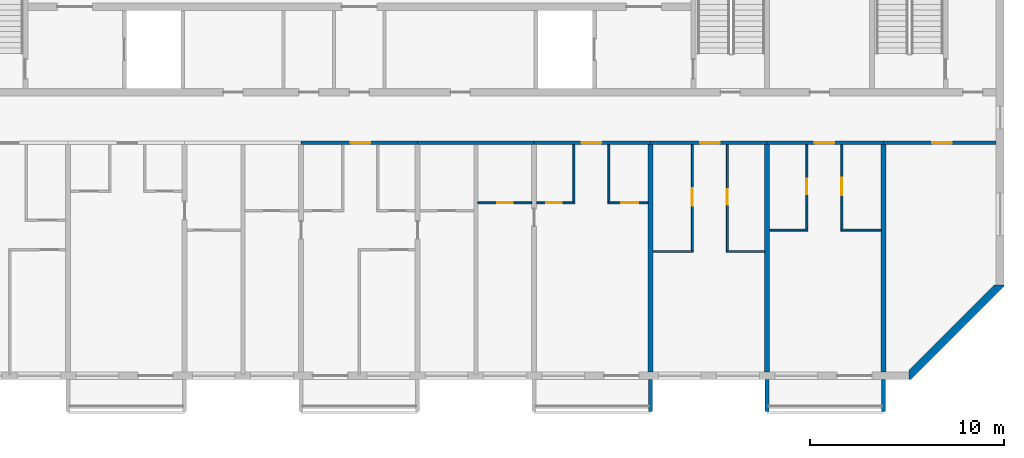
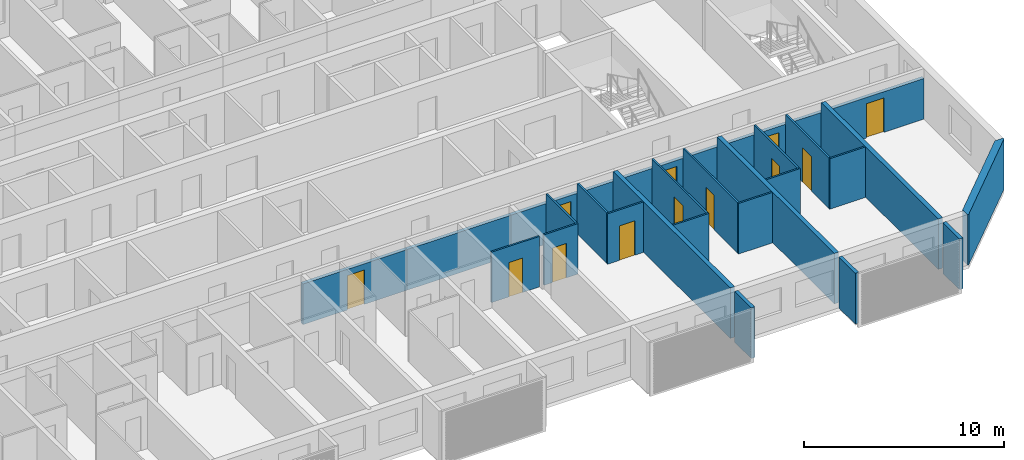
# One storey, part 5 of 26: 26 walls, 12 doors, 12 openings.
"""IFC4 building model written with IfcOpenShell, lengths in metres."""

from ifc_helpers import new_model, si_unit, direction, frame, frame_2d, origin, place, context, subcontext, project, spatial, polyline, rectangle, outline, extrude, source, transform, mapped, material, layer, layer_set, type_object, element, fill, save


model = new_model("IFC4")

# Units and contexts
model_context = context("Model", 3, precision=1e-05, world=origin(), true_north=direction((0.0, 1.0)))
body_context = subcontext(model_context, "Body", "Model", "MODEL_VIEW")
ifc_project = project(units=[si_unit("LENGTHUNIT", "METRE"), si_unit("AREAUNIT", "SQUARE_METRE"), si_unit("VOLUMEUNIT", "CUBIC_METRE"), si_unit("PLANEANGLEUNIT", "RADIAN"), si_unit("MASSUNIT", "GRAM", prefix="KILO")], contexts=[model_context])

# Site, building, storey
site_placement = place(None, origin())
site = spatial("IfcSite", under=ifc_project, at=site_placement, CompositionType="ELEMENT")
building_placement = place(site_placement, origin())
building = spatial("IfcBuilding", under=site, at=building_placement, Name="Poui Terraces", CompositionType="ELEMENT")
storey_placement = place(building_placement, frame((0.0, 0.0, 175.199951171875)))
storey = spatial("IfcBuildingStorey", under=building, at=storey_placement, Name="L48", CompositionType="ELEMENT", Elevation=175.199951171875)

# Wall, opening, door
ifc_material_1 = material(Name="Concrete 50 MPa", Category="concrete")
ifc_layer_1 = layer(ifc_material_1, 0.199951171875)
ifc_layer_set_1 = layer_set([ifc_layer_1], Name="Concrete 50 MPa")
wall_type_1 = type_object("IfcWallType", Name="CORRIDOR WALL 200 50MPa", PredefinedType="SHEAR", material=ifc_layer_set_1)
wall_1_placement = place(storey_placement, frame((48.0, 12.0, 0.0), z_axis=(0.0, 0.0, 1.0), x_axis=(1.0, 0.0, 0.0)))
wall_1 = element("IfcWall", 1, at=wall_1_placement, inside=storey, type_object=wall_type_1, Name="CORRIDOR WALL LINE B BAY 6", PredefinedType="SHEAR", context=body_context, shape_type="SweptSolid", body=[
    extrude(rectangle(XDim=6.0, YDim=0.199951171875, at=frame_2d((3.0, 0.0))), origin(), (0.0, 0.0, 1.0), 2.47998046875),
])
opening_1_placement = place(wall_1_placement, frame((2.550048828125, 0.0, 0.0)))
opening_1 = element("IfcOpeningElement", 2, at=opening_1_placement, cuts=wall_1, Name="Opening FD30S", PredefinedType="OPENING", context=body_context, shape_type="SweptSolid", body=[
    extrude(rectangle(XDim=1.0, YDim=2.10009765625, at=frame_2d((0.5, 1.050048828125))), frame((0.0, 0.10986328125, 0.0), z_axis=(0.0, -1.0, 0.0), x_axis=(1.0, 0.0, 0.0)), (0.0, 0.0, 1.0), 0.219970703125),
])
ifc_material_2 = material(Name="Steel fire door", Category="steel")
door_type_1 = type_object("IfcDoorType", Name="FLAT ENTRANCE DOOR 1000 X 2100", OperationType="NOTDEFINED", PredefinedType="DOOR", material=ifc_material_2)
door_1_placement = place(opening_1_placement, frame((1.0, 0.0, 0.0), z_axis=(0.0, 0.0, 1.0), x_axis=(-1.0, 0.0, 0.0)))
door_1 = element("IfcDoor", 3, at=door_1_placement, inside=storey, type_object=door_type_1, Name="FLAT ENTRANCE DOOR 079", OperationType="SINGLE_SWING_LEFT", OverallHeight=2.10009765625, OverallWidth=1.0, PredefinedType="DOOR", context=body_context, shape_type="SweptSolid", body=[
    extrude(rectangle(XDim=1.0, YDim=2.10009765625, at=frame_2d((0.5, 1.050048828125))), frame((0.0, 0.02490234375, 0.0), z_axis=(0.0, -1.0, 0.0), x_axis=(1.0, 0.0, 0.0)), (0.0, 0.0, 1.0), 0.050048828125),
])
fill(opening_1, door_1)

# Wall
wall_2_placement = place(storey_placement, frame((54.0, 12.0, 0.0), z_axis=(0.0, 0.0, 1.0), x_axis=(1.0, 0.0, 0.0)))
element("IfcWall", 4, at=wall_2_placement, inside=storey, type_object=wall_type_1, Name="CORRIDOR WALL LINE B BAY 7", PredefinedType="SHEAR", context=body_context, shape_type="SweptSolid", body=[
    extrude(rectangle(XDim=6.0, YDim=0.199951171875, at=frame_2d((3.0, 0.0))), origin(), (0.0, 0.0, 1.0), 2.47998046875),
])

# Wall, opening, door
wall_3_placement = place(storey_placement, frame((60.0, 12.0, 0.0), z_axis=(0.0, 0.0, 1.0), x_axis=(1.0, 0.0, 0.0)))
wall_3 = element("IfcWall", 5, at=wall_3_placement, inside=storey, type_object=wall_type_1, Name="CORRIDOR WALL LINE B BAY 8", PredefinedType="SHEAR", context=body_context, shape_type="SweptSolid", body=[
    extrude(rectangle(XDim=6.0, YDim=0.199951171875, at=frame_2d((3.0, 0.0))), origin(), (0.0, 0.0, 1.0), 2.47998046875),
])
opening_2_placement = place(wall_3_placement, frame((2.449951171875, 0.0, 0.0)))
opening_2 = element("IfcOpeningElement", 6, at=opening_2_placement, cuts=wall_3, Name="Opening FD30S", PredefinedType="OPENING", context=body_context, shape_type="SweptSolid", body=[
    extrude(rectangle(XDim=1.0, YDim=2.10009765625, at=frame_2d((0.5, 1.050048828125))), frame((0.0, 0.10986328125, 0.0), z_axis=(0.0, -1.0, 0.0), x_axis=(1.0, 0.0, 0.0)), (0.0, 0.0, 1.0), 0.219970703125),
])
door_2_placement = place(opening_2_placement, frame((1.0, 0.0, 0.0), z_axis=(0.0, 0.0, 1.0), x_axis=(-1.0, 0.0, 0.0)))
door_2 = element("IfcDoor", 7, at=door_2_placement, inside=storey, type_object=door_type_1, Name="FLAT ENTRANCE DOOR 086", OperationType="SINGLE_SWING_RIGHT", OverallHeight=2.10009765625, OverallWidth=1.0, PredefinedType="DOOR", context=body_context, shape_type="SweptSolid", body=[
    extrude(rectangle(XDim=1.0, YDim=2.10009765625, at=frame_2d((0.5, 1.050048828125))), frame((0.0, 0.02490234375, 0.0), z_axis=(0.0, -1.0, 0.0), x_axis=(1.0, 0.0, 0.0)), (0.0, 0.0, 1.0), 0.050048828125),
])
fill(opening_2, door_2)

wall_4_placement = place(storey_placement, frame((66.0, 12.0, 0.0), z_axis=(0.0, 0.0, 1.0), x_axis=(1.0, 0.0, 0.0)))
wall_4 = element("IfcWall", 8, at=wall_4_placement, inside=storey, type_object=wall_type_1, Name="CORRIDOR WALL LINE B BAY 9", PredefinedType="SHEAR", context=body_context, shape_type="SweptSolid", body=[
    extrude(rectangle(XDim=6.0, YDim=0.199951171875, at=frame_2d((3.0, 0.0))), origin(), (0.0, 0.0, 1.0), 2.47998046875),
])
opening_3_placement = place(wall_4_placement, frame((2.550048828125, 0.0, 0.0)))
opening_3 = element("IfcOpeningElement", 9, at=opening_3_placement, cuts=wall_4, Name="Opening FD30S", PredefinedType="OPENING", context=body_context, shape_type="SweptSolid", body=[
    extrude(rectangle(XDim=1.0, YDim=2.10009765625, at=frame_2d((0.5, 1.050048828125))), frame((0.0, 0.10986328125, 0.0), z_axis=(0.0, -1.0, 0.0), x_axis=(1.0, 0.0, 0.0)), (0.0, 0.0, 1.0), 0.219970703125),
])
door_3_placement = place(opening_3_placement, frame((1.0, 0.0, 0.0), z_axis=(0.0, 0.0, 1.0), x_axis=(-1.0, 0.0, 0.0)))
door_3 = element("IfcDoor", 10, at=door_3_placement, inside=storey, type_object=door_type_1, Name="FLAT ENTRANCE DOOR 089", OperationType="SINGLE_SWING_LEFT", OverallHeight=2.10009765625, OverallWidth=1.0, PredefinedType="DOOR", context=body_context, shape_type="SweptSolid", body=[
    extrude(rectangle(XDim=1.0, YDim=2.10009765625, at=frame_2d((0.5, 1.050048828125))), frame((0.0, 0.02490234375, 0.0), z_axis=(0.0, -1.0, 0.0), x_axis=(1.0, 0.0, 0.0)), (0.0, 0.0, 1.0), 0.050048828125),
])
fill(opening_3, door_3)

wall_5_placement = place(storey_placement, frame((72.0, 12.0, 0.0), z_axis=(0.0, 0.0, 1.0), x_axis=(1.0, 0.0, 0.0)))
wall_5 = element("IfcWall", 11, at=wall_5_placement, inside=storey, type_object=wall_type_1, Name="CORRIDOR WALL LINE B BAY 10", PredefinedType="SHEAR", context=body_context, shape_type="SweptSolid", body=[
    extrude(rectangle(XDim=6.0, YDim=0.199951171875, at=frame_2d((3.0, 0.0))), origin(), (0.0, 0.0, 1.0), 2.47998046875),
])
opening_4_placement = place(wall_5_placement, frame((2.449951171875, 0.0, 0.0)))
opening_4 = element("IfcOpeningElement", 12, at=opening_4_placement, cuts=wall_5, Name="Opening FD30S", PredefinedType="OPENING", context=body_context, shape_type="SweptSolid", body=[
    extrude(rectangle(XDim=1.0, YDim=2.10009765625, at=frame_2d((0.5, 1.050048828125))), frame((0.0, 0.10986328125, 0.0), z_axis=(0.0, -1.0, 0.0), x_axis=(1.0, 0.0, 0.0)), (0.0, 0.0, 1.0), 0.219970703125),
])
door_4_placement = place(opening_4_placement, frame((1.0, 0.0, 0.0), z_axis=(0.0, 0.0, 1.0), x_axis=(-1.0, 0.0, 0.0)))
door_4 = element("IfcDoor", 13, at=door_4_placement, inside=storey, type_object=door_type_1, Name="FLAT ENTRANCE DOOR 092", OperationType="SINGLE_SWING_RIGHT", OverallHeight=2.10009765625, OverallWidth=1.0, PredefinedType="DOOR", context=body_context, shape_type="SweptSolid", body=[
    extrude(rectangle(XDim=1.0, YDim=2.10009765625, at=frame_2d((0.5, 1.050048828125))), frame((0.0, 0.02490234375, 0.0), z_axis=(0.0, -1.0, 0.0), x_axis=(1.0, 0.0, 0.0)), (0.0, 0.0, 1.0), 0.050048828125),
])
fill(opening_4, door_4)

wall_6_placement = place(storey_placement, frame((78.0, 12.0, 0.0), z_axis=(0.0, 0.0, 1.0), x_axis=(1.0, 0.0, 0.0)))
wall_6 = element("IfcWall", 14, at=wall_6_placement, inside=storey, type_object=wall_type_1, Name="CORRIDOR WALL LINE B BAY 11", PredefinedType="SHEAR", context=body_context, shape_type="SweptSolid", body=[
    extrude(rectangle(XDim=5.800048828125, YDim=0.199951171875, at=frame_2d((2.89990234375, 0.0))), origin(), (0.0, 0.0, 1.0), 2.47998046875),
])
opening_5_placement = place(wall_6_placement, frame((2.5, 0.0, 0.0)))
opening_5 = element("IfcOpeningElement", 15, at=opening_5_placement, cuts=wall_6, Name="Opening D100", PredefinedType="OPENING", context=body_context, shape_type="SweptSolid", body=[
    extrude(rectangle(XDim=1.0, YDim=2.10009765625, at=frame_2d((0.5, 1.050048828125))), frame((0.0, 0.10986328125, 0.0), z_axis=(0.0, -1.0, 0.0), x_axis=(1.0, 0.0, 0.0)), (0.0, 0.0, 1.0), 0.219970703125),
])
ifc_material_3 = material(Name="Solid core timber door", Category="wood")
door_type_2 = type_object("IfcDoorType", Name="ACCESSIBLE INTERNAL DOOR 1000 X 2100", OperationType="NOTDEFINED", PredefinedType="DOOR", material=ifc_material_3)
door_5_placement = place(opening_5_placement, frame((1.0, 0.0, 0.0), z_axis=(0.0, 0.0, 1.0), x_axis=(-1.0, 0.0, 0.0)))
door_5 = element("IfcDoor", 16, at=door_5_placement, inside=storey, type_object=door_type_2, Name="ACCESSIBLE INTERNAL DOOR 094", OperationType="SINGLE_SWING_RIGHT", OverallHeight=2.10009765625, OverallWidth=1.0, PredefinedType="DOOR", context=body_context, shape_type="SweptSolid", body=[
    extrude(rectangle(XDim=1.0, YDim=2.10009765625, at=frame_2d((0.5, 1.050048828125))), frame((0.0, 0.02490234375, 0.0), z_axis=(0.0, -1.0, 0.0), x_axis=(1.0, 0.0, 0.0)), (0.0, 0.0, 1.0), 0.050048828125),
])
fill(opening_5, door_5)

# Walls
ifc_layer_2 = layer(ifc_material_1, 0.25)
ifc_layer_set_2 = layer_set([ifc_layer_2], Name="Concrete 50 MPa")
wall_type_2 = type_object("IfcWallType", Name="CROSS WALL 250 50MPa", PredefinedType="SHEAR", material=ifc_layer_set_2)
for number, where, z_axis, x_axis, name in (
    (17, (66.0, 0.199951171875, 0.0), (0.0, 0.0, 1.0), (0.0, 1.0, 0.0), "CROSS WALL LINE 12 SOUTH"),
    (18, (72.0, 0.199951171875, 0.0), (0.0, 0.0, 1.0), (0.0, 1.0, 0.0), "CROSS WALL LINE 13 SOUTH"),
    (19, (78.0, 0.199951171875, 0.0), (0.0, 0.0, 1.0), (0.0, 1.0, 0.0), "CROSS WALL LINE 14 SOUTH"),
):
    element("IfcWall", number, at=place(storey_placement, frame(where, z_axis=z_axis, x_axis=x_axis)), inside=storey, type_object=wall_type_2, Name=name, PredefinedType="SHEAR", context=body_context, shape_type="SweptSolid", body=[
        extrude(rectangle(XDim=11.699951171875, YDim=0.25, at=frame_2d((5.85009765625, 0.0))), origin(), (0.0, 0.0, 1.0), 3.080078125),
    ])
ifc_material_4 = material(Name="Plasterboard partition")
ifc_layer_3 = layer(ifc_material_4, 0.10009765625)
ifc_layer_set_3 = layer_set([ifc_layer_3], Name="Plasterboard partition")
wall_type_3 = type_object("IfcWallType", Name="FLAT PARTITION 100", PredefinedType="PARTITIONING", material=ifc_layer_set_3)
wall_7_placement = place(storey_placement, frame((66.135009765625, 6.39990234375, 0.0), z_axis=(0.0, 0.0, 1.0), x_axis=(1.0, 0.0, 0.0)))
element("IfcWall", 20, at=wall_7_placement, inside=storey, type_object=wall_type_3, Name="FLAT PARTITION 100", PredefinedType="PARTITIONING", context=body_context, shape_type="SweptSolid", body=[
    extrude(rectangle(XDim=2.06494140625, YDim=0.10009765625, at=frame_2d((1.032470703125, 0.0))), origin(), (0.0, 0.0, 1.0), 3.080078125),
])
for number, where, z_axis, x_axis, name in (
    (21, (69.89990234375, 6.39990234375, 0.0), (0.0, 0.0, 1.0), (1.0, 0.0, 0.0), "FLAT PARTITION 100"),
    (22, (72.135009765625, 7.5, 0.0), (0.0, 0.0, 1.0), (1.0, 0.0, 0.0), "FLAT PARTITION 100"),
):
    element("IfcWall", number, at=place(storey_placement, frame(where, z_axis=z_axis, x_axis=x_axis)), inside=storey, type_object=wall_type_3, Name=name, PredefinedType="PARTITIONING", context=body_context, shape_type="SweptSolid", body=[
        extrude(rectangle(XDim=1.965087890625, YDim=0.10009765625, at=frame_2d((0.982421875, 0.0))), origin(), (0.0, 0.0, 1.0), 3.080078125),
    ])
wall_8_placement = place(storey_placement, frame((75.800048828125, 7.5, 0.0), z_axis=(0.0, 0.0, 1.0), x_axis=(1.0, 0.0, 0.0)))
element("IfcWall", 23, at=wall_8_placement, inside=storey, type_object=wall_type_3, Name="FLAT PARTITION 100", PredefinedType="PARTITIONING", context=body_context, shape_type="SweptSolid", body=[
    extrude(rectangle(XDim=2.06494140625, YDim=0.10009765625, at=frame_2d((1.032470703125, 0.0))), origin(), (0.0, 0.0, 1.0), 3.080078125),
])

# Wall, opening, door
wall_9_placement = place(storey_placement, frame((57.10009765625, 8.89990234375, 0.0), z_axis=(0.0, 0.0, 1.0), x_axis=(1.0, 0.0, 0.0)))
wall_9 = element("IfcWall", 24, at=wall_9_placement, inside=storey, type_object=wall_type_3, Name="FLAT PARTITION 100", PredefinedType="PARTITIONING", context=body_context, shape_type="SweptSolid", body=[
    extrude(rectangle(XDim=2.764892578125, YDim=0.10009765625, at=frame_2d((1.38232421875, 0.0))), origin(), (0.0, 0.0, 1.0), 3.080078125),
])
opening_6_placement = place(wall_9_placement, frame((1.0, 0.0, 0.0)))
opening_6 = element("IfcOpeningElement", 25, at=opening_6_placement, cuts=wall_9, Name="Opening D80", PredefinedType="OPENING", context=body_context, shape_type="SweptSolid", body=[
    extrude(rectangle(XDim=0.800048828125, YDim=2.10009765625, at=frame_2d((0.39990234375, 1.050048828125))), frame((0.0, 0.06005859375, 0.0), z_axis=(0.0, -1.0, 0.0), x_axis=(1.0, 0.0, 0.0)), (0.0, 0.0, 1.0), 0.1201171875),
])
door_type_3 = type_object("IfcDoorType", Name="BATHROOM, LAUNDRY AND STORE DOOR 800 X 2100", OperationType="NOTDEFINED", PredefinedType="DOOR", material=ifc_material_3)
door_6_placement = place(opening_6_placement, origin())
door_6 = element("IfcDoor", 26, at=door_6_placement, inside=storey, type_object=door_type_3, Name="BATHROOM, LAUNDRY AND STORE DOOR 083", OperationType="SINGLE_SWING_RIGHT", OverallHeight=2.10009765625, OverallWidth=0.800048828125, PredefinedType="DOOR", context=body_context, shape_type="SweptSolid", body=[
    extrude(rectangle(XDim=0.800048828125, YDim=2.10009765625, at=frame_2d((0.39990234375, 1.050048828125))), frame((0.0, 0.02490234375, 0.0), z_axis=(0.0, -1.0, 0.0), x_axis=(1.0, 0.0, 0.0)), (0.0, 0.0, 1.0), 0.050048828125),
])
fill(opening_6, door_6)

wall_10_placement = place(storey_placement, frame((60.135009765625, 8.89990234375, 0.0), z_axis=(0.0, 0.0, 1.0), x_axis=(1.0, 0.0, 0.0)))
wall_10 = element("IfcWall", 27, at=wall_10_placement, inside=storey, type_object=wall_type_3, Name="FLAT PARTITION 100", PredefinedType="PARTITIONING", context=body_context, shape_type="SweptSolid", body=[
    extrude(rectangle(XDim=1.965087890625, YDim=0.10009765625, at=frame_2d((0.982421875, 0.0))), origin(), (0.0, 0.0, 1.0), 3.080078125),
])
opening_7_placement = place(wall_10_placement, frame((0.489990234375, 0.0, 0.0)))
opening_7 = element("IfcOpeningElement", 28, at=opening_7_placement, cuts=wall_10, Name="Opening D80", PredefinedType="OPENING", context=body_context, shape_type="SweptSolid", body=[
    extrude(rectangle(XDim=0.800048828125, YDim=2.10009765625, at=frame_2d((0.39990234375, 1.050048828125))), frame((0.0, 0.06005859375, 0.0), z_axis=(0.0, -1.0, 0.0), x_axis=(1.0, 0.0, 0.0)), (0.0, 0.0, 1.0), 0.1201171875),
])
door_7_placement = place(opening_7_placement, origin())
door_7 = element("IfcDoor", 29, at=door_7_placement, inside=storey, type_object=door_type_3, Name="BATHROOM, LAUNDRY AND STORE DOOR 085", OperationType="SINGLE_SWING_LEFT", OverallHeight=2.10009765625, OverallWidth=0.800048828125, PredefinedType="DOOR", context=body_context, shape_type="SweptSolid", body=[
    extrude(rectangle(XDim=0.800048828125, YDim=2.10009765625, at=frame_2d((0.39990234375, 1.050048828125))), frame((0.0, 0.02490234375, 0.0), z_axis=(0.0, -1.0, 0.0), x_axis=(1.0, 0.0, 0.0)), (0.0, 0.0, 1.0), 0.050048828125),
])
fill(opening_7, door_7)

wall_11_placement = place(storey_placement, frame((63.800048828125, 8.89990234375, 0.0), z_axis=(0.0, 0.0, 1.0), x_axis=(1.0, 0.0, 0.0)))
wall_11 = element("IfcWall", 30, at=wall_11_placement, inside=storey, type_object=wall_type_3, Name="FLAT PARTITION 100", PredefinedType="PARTITIONING", context=body_context, shape_type="SweptSolid", body=[
    extrude(rectangle(XDim=2.06494140625, YDim=0.10009765625, at=frame_2d((1.032470703125, 0.0))), origin(), (0.0, 0.0, 1.0), 3.080078125),
])
opening_8_placement = place(wall_11_placement, frame((0.675048828125, 0.0, 0.0)))
opening_8 = element("IfcOpeningElement", 31, at=opening_8_placement, cuts=wall_11, Name="Opening D90", PredefinedType="OPENING", context=body_context, shape_type="SweptSolid", body=[
    extrude(rectangle(XDim=0.89990234375, YDim=2.10009765625, at=frame_2d((0.449951171875, 1.050048828125))), frame((0.0, 0.06005859375, 0.0), z_axis=(0.0, -1.0, 0.0), x_axis=(1.0, 0.0, 0.0)), (0.0, 0.0, 1.0), 0.1201171875),
])
door_type_4 = type_object("IfcDoorType", Name="INTERNAL DOOR 900 X 2100", OperationType="NOTDEFINED", PredefinedType="DOOR", material=ifc_material_3)
door_8_placement = place(opening_8_placement, origin())
door_8 = element("IfcDoor", 32, at=door_8_placement, inside=storey, type_object=door_type_4, Name="INTERNAL DOOR 087", OperationType="SINGLE_SWING_RIGHT", OverallHeight=2.10009765625, OverallWidth=0.89990234375, PredefinedType="DOOR", context=body_context, shape_type="SweptSolid", body=[
    extrude(rectangle(XDim=0.89990234375, YDim=2.10009765625, at=frame_2d((0.449951171875, 1.050048828125))), frame((0.0, 0.02490234375, 0.0), z_axis=(0.0, -1.0, 0.0), x_axis=(1.0, 0.0, 0.0)), (0.0, 0.0, 1.0), 0.050048828125),
])
fill(opening_8, door_8)

# Walls
for number, where, z_axis, x_axis, name in (
    (33, (62.050048828125, 8.949951171875, 0.0), (0.0, 0.0, 1.0), (0.0, 1.0, 0.0), "FLAT PARTITION 100"),
    (34, (63.85009765625, 8.949951171875, 0.0), (0.0, 0.0, 1.0), (0.0, 1.0, 0.0), "FLAT PARTITION 100"),
):
    element("IfcWall", number, at=place(storey_placement, frame(where, z_axis=z_axis, x_axis=x_axis)), inside=storey, type_object=wall_type_3, Name=name, PredefinedType="PARTITIONING", context=body_context, shape_type="SweptSolid", body=[
        extrude(rectangle(XDim=2.93994140625, YDim=0.10009765625, at=frame_2d((1.469970703125, 0.0))), origin(), (0.0, 0.0, 1.0), 3.080078125),
    ])

# Wall, opening, door
wall_12_placement = place(storey_placement, frame((68.14990234375, 6.449951171875, 0.0), z_axis=(0.0, 0.0, 1.0), x_axis=(0.0, 1.0, 0.0)))
wall_12 = element("IfcWall", 35, at=wall_12_placement, inside=storey, type_object=wall_type_3, Name="FLAT PARTITION 100", PredefinedType="PARTITIONING", context=body_context, shape_type="SweptSolid", body=[
    extrude(rectangle(XDim=5.43994140625, YDim=0.10009765625, at=frame_2d((2.719970703125, 0.0))), origin(), (0.0, 0.0, 1.0), 3.080078125),
])
opening_9_placement = place(wall_12_placement, frame((2.300048828125, 0.0, 0.0)))
opening_9 = element("IfcOpeningElement", 36, at=opening_9_placement, cuts=wall_12, Name="Opening D90", PredefinedType="OPENING", context=body_context, shape_type="SweptSolid", body=[
    extrude(rectangle(XDim=0.89990234375, YDim=2.10009765625, at=frame_2d((0.449951171875, 1.050048828125))), frame((0.0, 0.06005859375, 0.0), z_axis=(0.0, -1.0, 0.0), x_axis=(1.0, 0.0, 0.0)), (0.0, 0.0, 1.0), 0.1201171875),
])
door_9_placement = place(opening_9_placement, origin())
door_9 = element("IfcDoor", 37, at=door_9_placement, inside=storey, type_object=door_type_4, Name="INTERNAL DOOR 088", OperationType="SINGLE_SWING_RIGHT", OverallHeight=2.10009765625, OverallWidth=0.89990234375, PredefinedType="DOOR", context=body_context, shape_type="SweptSolid", body=[
    extrude(rectangle(XDim=0.89990234375, YDim=2.10009765625, at=frame_2d((0.449951171875, 1.050048828125))), frame((0.0, 0.02490234375, 0.0), z_axis=(0.0, -1.0, 0.0), x_axis=(1.0, 0.0, 0.0)), (0.0, 0.0, 1.0), 0.050048828125),
])
fill(opening_9, door_9)

wall_13_placement = place(storey_placement, frame((69.949951171875, 6.449951171875, 0.0), z_axis=(0.0, 0.0, 1.0), x_axis=(0.0, 1.0, 0.0)))
wall_13 = element("IfcWall", 38, at=wall_13_placement, inside=storey, type_object=wall_type_3, Name="FLAT PARTITION 100", PredefinedType="PARTITIONING", context=body_context, shape_type="SweptSolid", body=[
    extrude(rectangle(XDim=5.43994140625, YDim=0.10009765625, at=frame_2d((2.719970703125, 0.0))), origin(), (0.0, 0.0, 1.0), 3.080078125),
])
opening_10_placement = place(wall_13_placement, frame((2.35009765625, 0.0, 0.0)))
opening_10 = element("IfcOpeningElement", 39, at=opening_10_placement, cuts=wall_13, Name="Opening D80", PredefinedType="OPENING", context=body_context, shape_type="SweptSolid", body=[
    extrude(rectangle(XDim=0.800048828125, YDim=2.10009765625, at=frame_2d((0.39990234375, 1.050048828125))), frame((0.0, 0.06005859375, 0.0), z_axis=(0.0, -1.0, 0.0), x_axis=(1.0, 0.0, 0.0)), (0.0, 0.0, 1.0), 0.1201171875),
])
door_10_placement = place(opening_10_placement, frame((0.800048828125, 0.0, 0.0), z_axis=(0.0, 0.0, 1.0), x_axis=(-1.0, 0.0, 0.0)))
door_10 = element("IfcDoor", 40, at=door_10_placement, inside=storey, type_object=door_type_3, Name="BATHROOM, LAUNDRY AND STORE DOOR 090", OperationType="SINGLE_SWING_RIGHT", OverallHeight=2.10009765625, OverallWidth=0.800048828125, PredefinedType="DOOR", context=body_context, shape_type="SweptSolid", body=[
    extrude(rectangle(XDim=0.800048828125, YDim=2.10009765625, at=frame_2d((0.39990234375, 1.050048828125))), frame((0.0, 0.02490234375, 0.0), z_axis=(0.0, -1.0, 0.0), x_axis=(1.0, 0.0, 0.0)), (0.0, 0.0, 1.0), 0.050048828125),
])
fill(opening_10, door_10)

wall_14_placement = place(storey_placement, frame((74.050048828125, 7.550048828125, 0.0), z_axis=(0.0, 0.0, 1.0), x_axis=(0.0, 1.0, 0.0)))
wall_14 = element("IfcWall", 41, at=wall_14_placement, inside=storey, type_object=wall_type_3, Name="FLAT PARTITION 100", PredefinedType="PARTITIONING", context=body_context, shape_type="SweptSolid", body=[
    extrude(rectangle(XDim=4.33984375, YDim=0.10009765625, at=frame_2d((2.169921875, 0.0))), origin(), (0.0, 0.0, 1.0), 3.080078125),
])
opening_11_placement = place(wall_14_placement, frame((1.800048828125, 0.0, 0.0)))
opening_11 = element("IfcOpeningElement", 42, at=opening_11_placement, cuts=wall_14, Name="Opening D80", PredefinedType="OPENING", context=body_context, shape_type="SweptSolid", body=[
    extrude(rectangle(XDim=0.800048828125, YDim=2.10009765625, at=frame_2d((0.39990234375, 1.050048828125))), frame((0.0, 0.06005859375, 0.0), z_axis=(0.0, -1.0, 0.0), x_axis=(1.0, 0.0, 0.0)), (0.0, 0.0, 1.0), 0.1201171875),
])
door_11_placement = place(opening_11_placement, origin())
door_11 = element("IfcDoor", 43, at=door_11_placement, inside=storey, type_object=door_type_3, Name="BATHROOM, LAUNDRY AND STORE DOOR 091", OperationType="SINGLE_SWING_LEFT", OverallHeight=2.10009765625, OverallWidth=0.800048828125, PredefinedType="DOOR", context=body_context, shape_type="SweptSolid", body=[
    extrude(rectangle(XDim=0.800048828125, YDim=2.10009765625, at=frame_2d((0.39990234375, 1.050048828125))), frame((0.0, 0.02490234375, 0.0), z_axis=(0.0, -1.0, 0.0), x_axis=(1.0, 0.0, 0.0)), (0.0, 0.0, 1.0), 0.050048828125),
])
fill(opening_11, door_11)

wall_15_placement = place(storey_placement, frame((75.85009765625, 7.550048828125, 0.0), z_axis=(0.0, 0.0, 1.0), x_axis=(0.0, 1.0, 0.0)))
wall_15 = element("IfcWall", 44, at=wall_15_placement, inside=storey, type_object=wall_type_3, Name="FLAT PARTITION 100", PredefinedType="PARTITIONING", context=body_context, shape_type="SweptSolid", body=[
    extrude(rectangle(XDim=4.33984375, YDim=0.10009765625, at=frame_2d((2.169921875, 0.0))), origin(), (0.0, 0.0, 1.0), 3.080078125),
])
opening_12_placement = place(wall_15_placement, frame((1.75, 0.0, 0.0)))
opening_12 = element("IfcOpeningElement", 45, at=opening_12_placement, cuts=wall_15, Name="Opening D90", PredefinedType="OPENING", context=body_context, shape_type="SweptSolid", body=[
    extrude(rectangle(XDim=0.89990234375, YDim=2.10009765625, at=frame_2d((0.449951171875, 1.050048828125))), frame((0.0, 0.06005859375, 0.0), z_axis=(0.0, -1.0, 0.0), x_axis=(1.0, 0.0, 0.0)), (0.0, 0.0, 1.0), 0.1201171875),
])
door_12_placement = place(opening_12_placement, frame((0.89990234375, 0.0, 0.0), z_axis=(0.0, 0.0, 1.0), x_axis=(-1.0, 0.0, 0.0)))
door_12 = element("IfcDoor", 46, at=door_12_placement, inside=storey, type_object=door_type_4, Name="INTERNAL DOOR 093", OperationType="SINGLE_SWING_LEFT", OverallHeight=2.10009765625, OverallWidth=0.89990234375, PredefinedType="DOOR", context=body_context, shape_type="SweptSolid", body=[
    extrude(rectangle(XDim=0.89990234375, YDim=2.10009765625, at=frame_2d((0.449951171875, 1.050048828125))), frame((0.0, 0.02490234375, 0.0), z_axis=(0.0, -1.0, 0.0), x_axis=(1.0, 0.0, 0.0)), (0.0, 0.0, 1.0), 0.050048828125),
])
fill(opening_12, door_12)

# Walls
ifc_material_5 = material(Name="Precast concrete 40 MPa", Category="concrete")
ifc_layer_4 = layer(ifc_material_5, 0.39990234375)
ifc_layer_set_4 = layer_set([ifc_layer_4], Name="Precast concrete 40 MPa")
wall_type_4 = type_object("IfcWallType", Name="TERRACOTTA CLAD CHAMFER WALL 400", PredefinedType="STANDARD", material=ifc_layer_set_4)
wall_16_placement = place(storey_placement, origin())
element("IfcWall", 47, at=wall_16_placement, inside=storey, type_object=wall_type_4, Name="CHAMFER WALL CH01", PredefinedType="STANDARD", context=body_context, shape_type="SweptSolid", body=[
    extrude(outline(polyline([(79.317138671875, -0.199951171875), (79.39990234375, -0.199951171875), (84.199951171875, 4.60009765625), (84.199951171875, 4.682861328125), (83.71728515625, 4.682861328125), (79.317138671875, 0.28271484375), (79.317138671875, -0.199951171875)])), origin(), (0.0, 0.0, 1.0), 3.080078125),
])
ifc_layer_5 = layer(ifc_material_5, 0.199951171875)
ifc_layer_set_5 = layer_set([ifc_layer_5], Name="Precast concrete 40 MPa")
wall_type_5 = type_object("IfcWallType", Name="REAR FIN 200", PredefinedType="STANDARD", material=ifc_layer_set_5)
shared_shape = source(origin(), body_context, "Body", "SweptSolid", [
    extrude(outline(polyline([(0.0, 0.0), (0.2001953125, 0.0), (0.2001953125, 1.650146484375), (0.0, 1.650146484375), (0.0, 0.0)])), origin(), (0.0, 0.0, 1.0), 3.10009765625),
])
for number, where, name in (
    (48, (65.89990234375, -1.85009765625, 0.0), "REAR FIN"),
    (49, (71.89990234375, -1.85009765625, 0.0), "REAR FIN"),
    (50, (77.89990234375, -1.85009765625, 0.0), "REAR FIN"),
):
    element("IfcWall", number, at=place(storey_placement, frame(where)), inside=storey, type_object=wall_type_5, Name=name, PredefinedType="STANDARD", context=body_context, shape_type="MappedRepresentation", body=[
        mapped(shared_shape, transform((0.0, 0.0, 0.0))),
    ])

save(model, "model.ifc")
